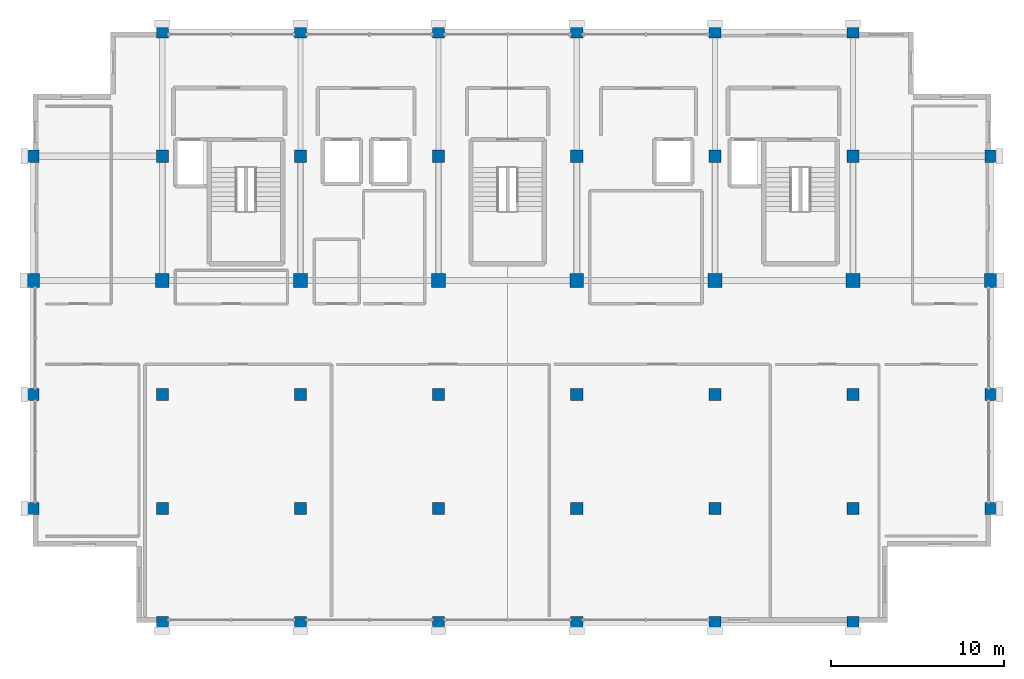
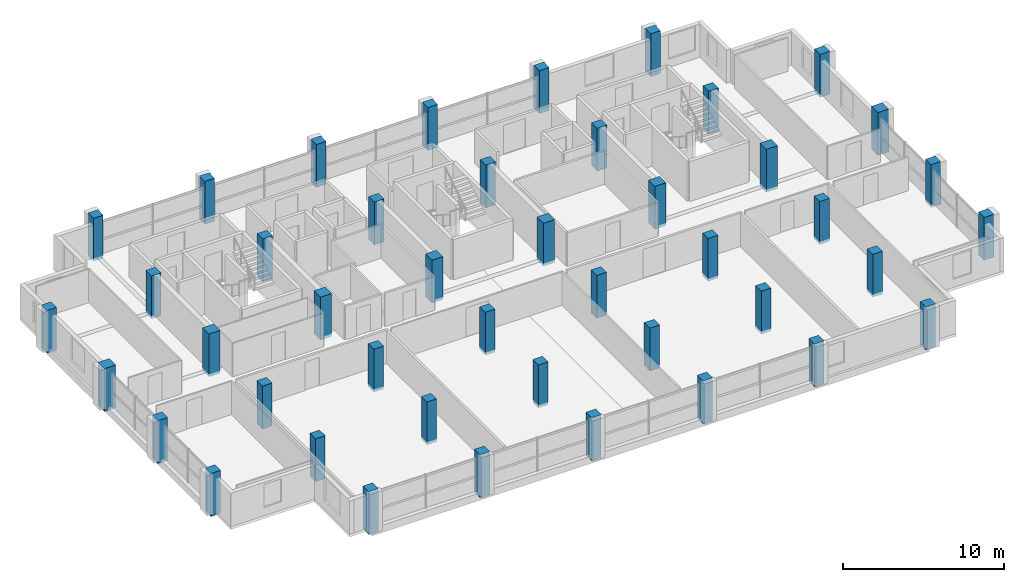
# One storey, part 1 of 24: 44 columns.
"""IFC4 building model written with IfcOpenShell, lengths in metres."""

from ifc_helpers import new_model, si_unit, direction, frame, origin, origin_2d, place, context, subcontext, project, spatial, rectangle, extrude, material, material_profile, profile_set, type_object, element, save


model = new_model("IFC4")

# Units and contexts
model_context = context("Model", 3, precision=1e-05, world=origin(), true_north=direction((0.0, 1.0)))
body_context = subcontext(model_context, "Body", "Model", "MODEL_VIEW")
ifc_project = project(units=[si_unit("LENGTHUNIT", "METRE"), si_unit("AREAUNIT", "SQUARE_METRE"), si_unit("VOLUMEUNIT", "CUBIC_METRE"), si_unit("PLANEANGLEUNIT", "RADIAN"), si_unit("MASSUNIT", "GRAM", prefix="KILO")], contexts=[model_context])

# Site, building, storey
site_placement = place(None, origin())
site = spatial("IfcSite", under=ifc_project, at=site_placement, CompositionType="ELEMENT")
building_placement = place(site_placement, origin())
building = spatial("IfcBuilding", under=site, at=building_placement, Name="Akrevak Sports Hall", CompositionType="ELEMENT")
storey_placement = place(building_placement, frame((0.0, 0.0, 60.050048828125)))
storey = spatial("IfcBuildingStorey", under=building, at=storey_placement, Name="L15", CompositionType="ELEMENT", Elevation=60.050048828125)

# Columns
ifc_material = material(Name="Concrete C40/50", Category="concrete")
ifc_material_profile_1 = material_profile(ifc_material, rectangle(XDim=0.699951171875, YDim=0.699951171875, at=origin_2d()), Name="RC 700x700", Category="concrete")
ifc_profile_set_1 = profile_set([ifc_material_profile_1], Name="Concrete C40/50")
column_type_1 = type_object("IfcColumnType", Name="STR-COL-RC700", PredefinedType="COLUMN", material=ifc_profile_set_1)
for number, where, z_axis, x_axis, name in (
    (1, (52.5, 42.0, -0.2099609375), (0.0, 0.0, 1.0), (1.0, 0.0, 0.0), "Column 8/G (L15)"),
    (2, (52.5, 48.60009765625, -0.2099609375), (0.0, 0.0, 1.0), (1.0, 0.0, 0.0), "Column 8/H (L15)"),
    (3, (52.5, 62.39990234375, -0.2099609375), (0.0, 0.0, 1.0), (1.0, 0.0, 0.0), "Column 8/J (L15)"),
    (4, (60.0, 35.39990234375, -0.2099609375), (0.0, 0.0, 1.0), (1.0, 0.0, 0.0), "Column 9/F (L15)"),
    (5, (60.0, 42.0, -0.2099609375), (0.0, 0.0, 1.0), (1.0, 0.0, 0.0), "Column 9/G (L15)"),
    (6, (60.0, 48.60009765625, -0.2099609375), (0.0, 0.0, 1.0), (1.0, 0.0, 0.0), "Column 9/H (L15)"),
    (7, (60.0, 62.39990234375, -0.2099609375), (0.0, 0.0, 1.0), (1.0, 0.0, 0.0), "Column 9/J (L15)"),
    (8, (60.0, 69.60009765625, -0.2099609375), (0.0, 0.0, 1.0), (1.0, 0.0, 0.0), "Column 9/K (L15)"),
    (9, (68.0, 35.39990234375, -0.2099609375), (0.0, 0.0, 1.0), (1.0, 0.0, 0.0), "Column 10/F (L15)"),
    (10, (68.0, 42.0, -0.2099609375), (0.0, 0.0, 1.0), (1.0, 0.0, 0.0), "Column 10/G (L15)"),
    (11, (68.0, 48.60009765625, -0.2099609375), (0.0, 0.0, 1.0), (1.0, 0.0, 0.0), "Column 10/H (L15)"),
    (12, (68.0, 62.39990234375, -0.2099609375), (0.0, 0.0, 1.0), (1.0, 0.0, 0.0), "Column 10/J (L15)"),
    (13, (68.0, 69.60009765625, -0.2099609375), (0.0, 0.0, 1.0), (1.0, 0.0, 0.0), "Column 10/K (L15)"),
    (14, (76.0, 35.39990234375, -0.2099609375), (0.0, 0.0, 1.0), (1.0, 0.0, 0.0), "Column 11/F (L15)"),
    (15, (76.0, 42.0, -0.2099609375), (0.0, 0.0, 1.0), (1.0, 0.0, 0.0), "Column 11/G (L15)"),
    (16, (76.0, 48.60009765625, -0.2099609375), (0.0, 0.0, 1.0), (1.0, 0.0, 0.0), "Column 11/H (L15)"),
    (17, (76.0, 62.39990234375, -0.2099609375), (0.0, 0.0, 1.0), (1.0, 0.0, 0.0), "Column 11/J (L15)"),
    (18, (76.0, 69.60009765625, -0.2099609375), (0.0, 0.0, 1.0), (1.0, 0.0, 0.0), "Column 11/K (L15)"),
    (19, (84.0, 35.39990234375, -0.2099609375), (0.0, 0.0, 1.0), (1.0, 0.0, 0.0), "Column 12/F (L15)"),
    (20, (84.0, 42.0, -0.2099609375), (0.0, 0.0, 1.0), (1.0, 0.0, 0.0), "Column 12/G (L15)"),
    (21, (84.0, 48.60009765625, -0.2099609375), (0.0, 0.0, 1.0), (1.0, 0.0, 0.0), "Column 12/H (L15)"),
    (22, (84.0, 62.39990234375, -0.2099609375), (0.0, 0.0, 1.0), (1.0, 0.0, 0.0), "Column 12/J (L15)"),
    (23, (84.0, 69.60009765625, -0.2099609375), (0.0, 0.0, 1.0), (1.0, 0.0, 0.0), "Column 12/K (L15)"),
    (24, (92.0, 35.39990234375, -0.2099609375), (0.0, 0.0, 1.0), (1.0, 0.0, 0.0), "Column 13/F (L15)"),
    (25, (92.0, 42.0, -0.2099609375), (0.0, 0.0, 1.0), (1.0, 0.0, 0.0), "Column 13/G (L15)"),
    (26, (92.0, 48.60009765625, -0.2099609375), (0.0, 0.0, 1.0), (1.0, 0.0, 0.0), "Column 13/H (L15)"),
    (27, (92.0, 62.39990234375, -0.2099609375), (0.0, 0.0, 1.0), (1.0, 0.0, 0.0), "Column 13/J (L15)"),
    (28, (92.0, 69.60009765625, -0.2099609375), (0.0, 0.0, 1.0), (1.0, 0.0, 0.0), "Column 13/K (L15)"),
    (29, (100.0, 35.39990234375, -0.2099609375), (0.0, 0.0, 1.0), (1.0, 0.0, 0.0), "Column 14/F (L15)"),
    (30, (100.0, 42.0, -0.2099609375), (0.0, 0.0, 1.0), (1.0, 0.0, 0.0), "Column 14/G (L15)"),
    (31, (100.0, 48.60009765625, -0.2099609375), (0.0, 0.0, 1.0), (1.0, 0.0, 0.0), "Column 14/H (L15)"),
    (32, (100.0, 62.39990234375, -0.2099609375), (0.0, 0.0, 1.0), (1.0, 0.0, 0.0), "Column 14/J (L15)"),
    (33, (100.0, 69.60009765625, -0.2099609375), (0.0, 0.0, 1.0), (1.0, 0.0, 0.0), "Column 14/K (L15)"),
    (34, (108.0, 42.0, -0.2099609375), (0.0, 0.0, 1.0), (1.0, 0.0, 0.0), "Column 15/G (L15)"),
    (35, (108.0, 48.60009765625, -0.2099609375), (0.0, 0.0, 1.0), (1.0, 0.0, 0.0), "Column 15/H (L15)"),
    (36, (108.0, 62.39990234375, -0.2099609375), (0.0, 0.0, 1.0), (1.0, 0.0, 0.0), "Column 15/J (L15)"),
):
    element("IfcColumn", number, at=place(storey_placement, frame(where, z_axis=z_axis, x_axis=x_axis)), inside=storey, type_object=column_type_1, Name=name, PredefinedType="COLUMN", context=body_context, shape_type="SweptSolid", body=[
        extrude(rectangle(XDim=0.699951171875, YDim=0.699951171875, at=origin_2d()), origin(), (0.0, 0.0, 1.0), 3.25),
    ])
ifc_material_profile_2 = material_profile(ifc_material, rectangle(XDim=0.800048828125, YDim=0.800048828125, at=origin_2d()), Name="RC 800x800", Category="concrete")
ifc_profile_set_2 = profile_set([ifc_material_profile_2], Name="Concrete C40/50")
column_type_2 = type_object("IfcColumnType", Name="STR-COL-RC800", PredefinedType="COLUMN", material=ifc_profile_set_2)
for number, where, z_axis, x_axis, name in (
    (37, (52.5, 55.199951171875, -0.2099609375), (0.0, 0.0, 1.0), (1.0, 0.0, 0.0), "Column 8/I (L15)"),
    (38, (60.0, 55.199951171875, -0.2099609375), (0.0, 0.0, 1.0), (1.0, 0.0, 0.0), "Column 9/I (L15)"),
    (39, (68.0, 55.199951171875, -0.2099609375), (0.0, 0.0, 1.0), (1.0, 0.0, 0.0), "Column 10/I (L15)"),
    (40, (76.0, 55.199951171875, -0.2099609375), (0.0, 0.0, 1.0), (1.0, 0.0, 0.0), "Column 11/I (L15)"),
    (41, (84.0, 55.199951171875, -0.2099609375), (0.0, 0.0, 1.0), (1.0, 0.0, 0.0), "Column 12/I (L15)"),
    (42, (92.0, 55.199951171875, -0.2099609375), (0.0, 0.0, 1.0), (1.0, 0.0, 0.0), "Column 13/I (L15)"),
    (43, (100.0, 55.199951171875, -0.2099609375), (0.0, 0.0, 1.0), (1.0, 0.0, 0.0), "Column 14/I (L15)"),
    (44, (108.0, 55.199951171875, -0.2099609375), (0.0, 0.0, 1.0), (1.0, 0.0, 0.0), "Column 15/I (L15)"),
):
    element("IfcColumn", number, at=place(storey_placement, frame(where, z_axis=z_axis, x_axis=x_axis)), inside=storey, type_object=column_type_2, Name=name, PredefinedType="COLUMN", context=body_context, shape_type="SweptSolid", body=[
        extrude(rectangle(XDim=0.800048828125, YDim=0.800048828125, at=origin_2d()), origin(), (0.0, 0.0, 1.0), 3.25),
    ])

save(model, "model.ifc")
